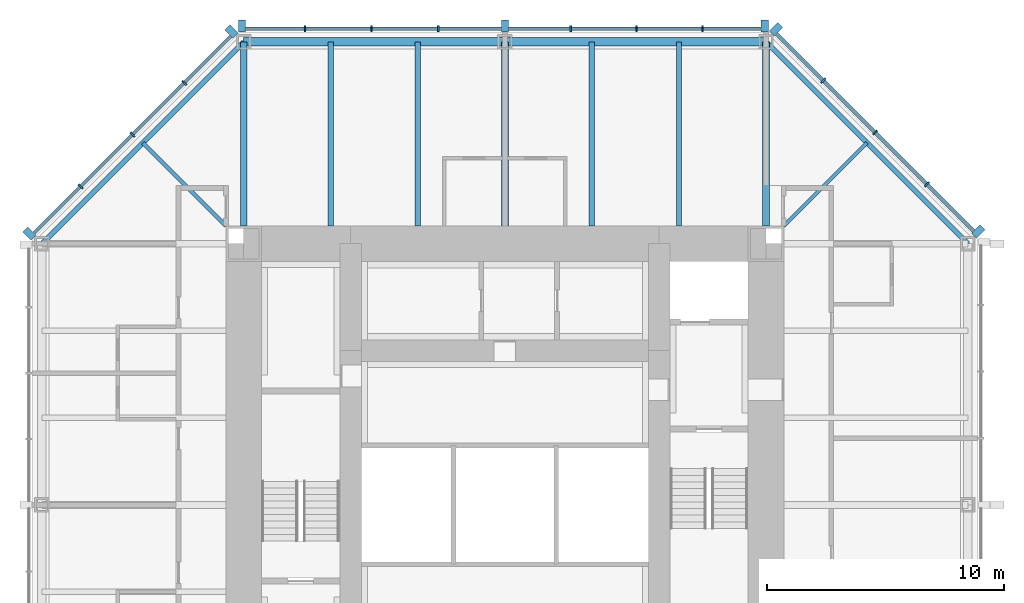
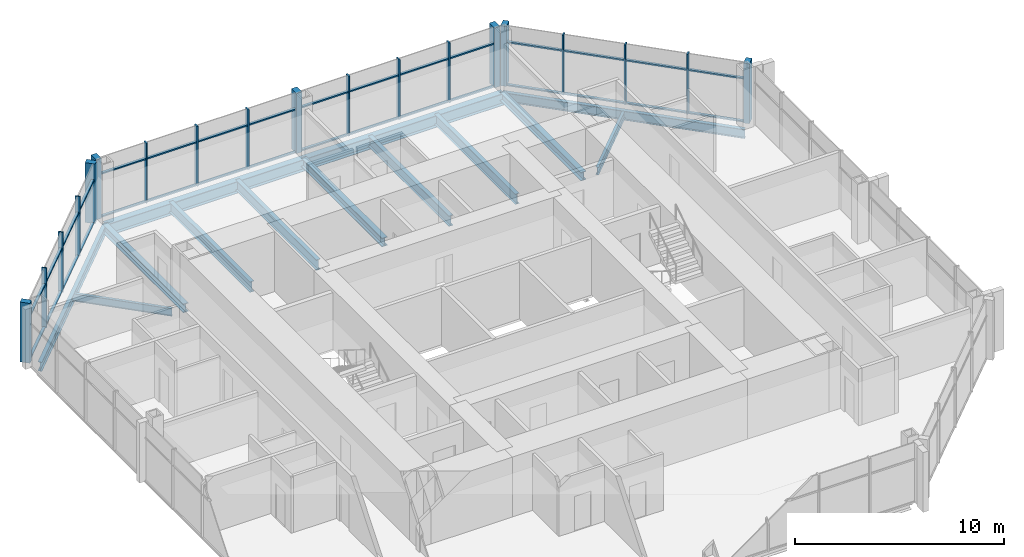
# One storey, part 5 of 11: 51 members, 13 beams, 3 elements without a shape of their own.
"""IFC4 building model written with IfcOpenShell, lengths in metres."""

from ifc_helpers import new_model, si_unit, direction, frame, origin, origin_2d, place, context, subcontext, project, spatial, rectangle, i_section, extrude, material, material_profile, profile_set, type_object, element, aggregate, save


model = new_model("IFC4")

# Units and contexts
model_context = context("Model", 3, precision=1e-05, world=origin(), true_north=direction((0.0, 1.0)))
body_context = subcontext(model_context, "Body", "Model", "MODEL_VIEW")
ifc_project = project(units=[si_unit("LENGTHUNIT", "METRE"), si_unit("AREAUNIT", "SQUARE_METRE"), si_unit("VOLUMEUNIT", "CUBIC_METRE"), si_unit("PLANEANGLEUNIT", "RADIAN"), si_unit("MASSUNIT", "GRAM", prefix="KILO")], contexts=[model_context])

# Site, building, storey
site_placement = place(None, origin())
site = spatial("IfcSite", under=ifc_project, at=site_placement, CompositionType="ELEMENT")
building_placement = place(site_placement, origin())
building = spatial("IfcBuilding", under=site, at=building_placement, Name="Trevanion Tower", CompositionType="ELEMENT")
storey_placement = place(building_placement, frame((0.0, 0.0, 222.199951171875)))
storey = spatial("IfcBuildingStorey", under=building, at=storey_placement, Name="L53", CompositionType="ELEMENT", Elevation=222.199951171875)

# Beams
ifc_material_1 = material(Name="Steel ASTM A992 Grade 50", Category="steel")
ifc_material_profile_1 = material_profile(ifc_material_1, i_section(OverallWidth=0.228271484375, OverallDepth=0.607177734375, WebThickness=0.01123046875, FlangeThickness=0.017333984375, at=origin_2d()), Name="W24X76")
ifc_profile_set_1 = profile_set([ifc_material_profile_1], Name="Steel ASTM A992 Grade 50")
beam_type_1 = type_object("IfcBeamType", Name="B11 W24X76", PredefinedType="BEAM", material=ifc_profile_set_1)
for number, where, z_axis, x_axis, name in (
    (1, (7.333251953125, 11.75, -0.493408203125), (0.0, 1.0, 0.0), (-1.0, 0.0, 0.0), "B11 L53"),
    (2, (3.666748046875, 11.75, -0.493408203125), (0.0, 1.0, 0.0), (-1.0, 0.0, 0.0), "B11 L53"),
    (3, (-3.666748046875, 11.75, -0.493408203125), (0.0, 1.0, 0.0), (-1.0, 0.0, 0.0), "B11 L53"),
    (4, (-7.333251953125, 11.75, -0.493408203125), (0.0, 1.0, 0.0), (-1.0, 0.0, 0.0), "B11 L53"),
):
    element("IfcBeam", number, at=place(storey_placement, frame(where, z_axis=z_axis, x_axis=x_axis)), inside=storey, type_object=beam_type_1, Name=name, PredefinedType="BEAM", context=body_context, shape_type="SweptSolid", body=[
        extrude(i_section(OverallWidth=0.228271484375, OverallDepth=0.607177734375, WebThickness=0.01123046875, FlangeThickness=0.017333984375, at=origin_2d()), origin(), (0.0, 0.0, 1.0), 7.75),
    ])
ifc_material_2 = material(Name="Steel ASTM A992 Grade 50", Category="steel")
ifc_material_profile_2 = material_profile(ifc_material_2, i_section(OverallWidth=0.15234375, OverallDepth=0.449462890625, WebThickness=0.007568359375, FlangeThickness=0.0107421875, at=origin_2d()), Name="W18X35")
ifc_profile_set_2 = profile_set([ifc_material_profile_2], Name="Steel ASTM A992 Grade 50")
beam_type_2 = type_object("IfcBeamType", Name="B12 W18X35", PredefinedType="BEAM", material=ifc_profile_set_2)
for number, where, z_axis, x_axis, name in (
    (5, (11.75, 11.75, -0.414794921875), (0.707106781187, 0.707106781187, 0.0), (-0.707106781187, 0.707106781187, 0.0), "B12 L53"),
    (6, (-11.75, 11.75, -0.414794921875), (-0.707106781187, 0.707106781187, 0.0), (-0.707106781187, -0.707106781187, 0.0), "B12 L53"),
):
    element("IfcBeam", number, at=place(storey_placement, frame(where, z_axis=z_axis, x_axis=x_axis)), inside=storey, type_object=beam_type_2, Name=name, PredefinedType="BEAM", context=body_context, shape_type="SweptSolid", body=[
        extrude(i_section(OverallWidth=0.15234375, OverallDepth=0.449462890625, WebThickness=0.007568359375, FlangeThickness=0.0107421875, at=origin_2d()), origin(), (0.0, 0.0, 1.0), 4.94970703125),
    ])

# Curtain wall, members
ifc_material_3 = material(Name="Aluminium and glass", Category="aluminium")
curtain_wall_type = type_object("IfcCurtainWallType", Name="CW3 curtain wall", PredefinedType="USERDEFINED", material=ifc_material_3)
curtain_wall_1_placement = place(storey_placement, origin())
curtain_wall_1 = element("IfcCurtainWall", 7, at=curtain_wall_1_placement, inside=storey, type_object=curtain_wall_type, Name="CW3 L53 1", ObjectType="UNITISED CURTAIN WALL", PredefinedType="USERDEFINED")
ifc_material_4 = material(Name="Aluminium extrusion, anodised bronze", Category="aluminium")
ifc_material_profile_3 = material_profile(ifc_material_4, rectangle(XDim=0.074951171875, YDim=0.25, at=origin_2d()), Name="CW3 mullion")
ifc_profile_set_3 = profile_set([ifc_material_profile_3], Name="Aluminium extrusion, anodised bronze")
member_type_1 = type_object("IfcMemberType", Name="CW3 mullion", PredefinedType="MULLION", material=ifc_profile_set_3)
member_1_placement = place(storey_placement, frame((17.775390625, 13.502197265625, -0.18994140625), z_axis=(0.0, 0.0, 1.0), x_axis=(-0.707106781187, 0.707106781187, 0.0)))
member_1 = element("IfcMember", 8, at=member_1_placement, type_object=member_type_1, Name="CW3 mullion 2", PredefinedType="MULLION", context=body_context, shape_type="SweptSolid", body=[
    extrude(rectangle(XDim=0.074951171875, YDim=0.25, at=origin_2d()), origin(), (0.0, 0.0, 1.0), 3.5),
])
member_2_placement = place(storey_placement, frame((15.593017578125, 15.684814453125, -0.18994140625), z_axis=(0.0, 0.0, 1.0), x_axis=(-0.707106781187, 0.707106781187, 0.0)))
member_2 = element("IfcMember", 9, at=member_2_placement, type_object=member_type_1, Name="CW3 mullion 3", PredefinedType="MULLION", context=body_context, shape_type="SweptSolid", body=[
    extrude(rectangle(XDim=0.074951171875, YDim=0.25, at=origin_2d()), origin(), (0.0, 0.0, 1.0), 3.5),
])
member_3_placement = place(storey_placement, frame((13.410400390625, 17.867431640625, -0.18994140625), z_axis=(0.0, 0.0, 1.0), x_axis=(-0.707106781187, 0.707106781187, 0.0)))
member_3 = element("IfcMember", 10, at=member_3_placement, type_object=member_type_1, Name="CW3 mullion 4", PredefinedType="MULLION", context=body_context, shape_type="SweptSolid", body=[
    extrude(rectangle(XDim=0.074951171875, YDim=0.25, at=origin_2d()), origin(), (0.0, 0.0, 1.0), 3.5),
])

curtain_wall_2_placement = place(storey_placement, origin())
curtain_wall_2 = element("IfcCurtainWall", 11, at=curtain_wall_2_placement, inside=storey, type_object=curtain_wall_type, Name="CW3 L53 2", ObjectType="UNITISED CURTAIN WALL", PredefinedType="USERDEFINED")
member_4_placement = place(storey_placement, frame((8.323486328125, 20.050048828125, -0.18994140625), z_axis=(0.0, 0.0, 1.0), x_axis=(-1.0, 0.0, 0.0)))
member_4 = element("IfcMember", 12, at=member_4_placement, type_object=member_type_1, Name="CW3 mullion 2", PredefinedType="MULLION", context=body_context, shape_type="SweptSolid", body=[
    extrude(rectangle(XDim=0.074951171875, YDim=0.25, at=origin_2d()), origin(), (0.0, 0.0, 1.0), 3.5),
])
member_5_placement = place(storey_placement, frame((5.548828125, 20.050048828125, -0.18994140625), z_axis=(0.0, 0.0, 1.0), x_axis=(-1.0, 0.0, 0.0)))
member_5 = element("IfcMember", 13, at=member_5_placement, type_object=member_type_1, Name="CW3 mullion 3", PredefinedType="MULLION", context=body_context, shape_type="SweptSolid", body=[
    extrude(rectangle(XDim=0.074951171875, YDim=0.25, at=origin_2d()), origin(), (0.0, 0.0, 1.0), 3.5),
])
member_6_placement = place(storey_placement, frame((2.7744140625, 20.050048828125, -0.18994140625), z_axis=(0.0, 0.0, 1.0), x_axis=(-1.0, 0.0, 0.0)))
member_6 = element("IfcMember", 14, at=member_6_placement, type_object=member_type_1, Name="CW3 mullion 4", PredefinedType="MULLION", context=body_context, shape_type="SweptSolid", body=[
    extrude(rectangle(XDim=0.074951171875, YDim=0.25, at=origin_2d()), origin(), (0.0, 0.0, 1.0), 3.5),
])
member_7_placement = place(storey_placement, frame((-2.806884765625, 20.050048828125, -0.18994140625), z_axis=(0.0, 0.0, 1.0), x_axis=(-1.0, 0.0, 0.0)))
member_7 = element("IfcMember", 15, at=member_7_placement, type_object=member_type_1, Name="CW3 mullion 6", PredefinedType="MULLION", context=body_context, shape_type="SweptSolid", body=[
    extrude(rectangle(XDim=0.074951171875, YDim=0.25, at=origin_2d()), origin(), (0.0, 0.0, 1.0), 3.5),
])
member_8_placement = place(storey_placement, frame((-5.614013671875, 20.050048828125, -0.18994140625), z_axis=(0.0, 0.0, 1.0), x_axis=(-1.0, 0.0, 0.0)))
member_8 = element("IfcMember", 16, at=member_8_placement, type_object=member_type_1, Name="CW3 mullion 7", PredefinedType="MULLION", context=body_context, shape_type="SweptSolid", body=[
    extrude(rectangle(XDim=0.074951171875, YDim=0.25, at=origin_2d()), origin(), (0.0, 0.0, 1.0), 3.5),
])
member_9_placement = place(storey_placement, frame((-8.4208984375, 20.050048828125, -0.18994140625), z_axis=(0.0, 0.0, 1.0), x_axis=(-1.0, 0.0, 0.0)))
member_9 = element("IfcMember", 17, at=member_9_placement, type_object=member_type_1, Name="CW3 mullion 8", PredefinedType="MULLION", context=body_context, shape_type="SweptSolid", body=[
    extrude(rectangle(XDim=0.074951171875, YDim=0.25, at=origin_2d()), origin(), (0.0, 0.0, 1.0), 3.5),
])

curtain_wall_3_placement = place(storey_placement, origin())
curtain_wall_3 = element("IfcCurtainWall", 18, at=curtain_wall_3_placement, inside=storey, type_object=curtain_wall_type, Name="CW3 L53 3", ObjectType="UNITISED CURTAIN WALL", PredefinedType="USERDEFINED")
member_10_placement = place(storey_placement, frame((-13.502197265625, 17.775390625, -0.18994140625), z_axis=(0.0, 0.0, 1.0), x_axis=(-0.707106781187, -0.707106781187, 0.0)))
member_10 = element("IfcMember", 19, at=member_10_placement, type_object=member_type_1, Name="CW3 mullion 2", PredefinedType="MULLION", context=body_context, shape_type="SweptSolid", body=[
    extrude(rectangle(XDim=0.074951171875, YDim=0.25, at=origin_2d()), origin(), (0.0, 0.0, 1.0), 3.5),
])
member_11_placement = place(storey_placement, frame((-15.684814453125, 15.593017578125, -0.18994140625), z_axis=(0.0, 0.0, 1.0), x_axis=(-0.707106781187, -0.707106781187, 0.0)))
member_11 = element("IfcMember", 20, at=member_11_placement, type_object=member_type_1, Name="CW3 mullion 3", PredefinedType="MULLION", context=body_context, shape_type="SweptSolid", body=[
    extrude(rectangle(XDim=0.074951171875, YDim=0.25, at=origin_2d()), origin(), (0.0, 0.0, 1.0), 3.5),
])
member_12_placement = place(storey_placement, frame((-17.867431640625, 13.410400390625, -0.18994140625), z_axis=(0.0, 0.0, 1.0), x_axis=(-0.707106781187, -0.707106781187, 0.0)))
member_12 = element("IfcMember", 21, at=member_12_placement, type_object=member_type_1, Name="CW3 mullion 4", PredefinedType="MULLION", context=body_context, shape_type="SweptSolid", body=[
    extrude(rectangle(XDim=0.074951171875, YDim=0.25, at=origin_2d()), origin(), (0.0, 0.0, 1.0), 3.5),
])

# Member
ifc_material_5 = material(Name="Aluminium extrusion, anodised bronze", Category="aluminium")
ifc_material_profile_4 = material_profile(ifc_material_5, rectangle(XDim=0.300048828125, YDim=0.5, at=origin_2d()), Name="CW3 pier mullion")
ifc_profile_set_4 = profile_set([ifc_material_profile_4], Name="Aluminium extrusion, anodised bronze")
member_type_2 = type_object("IfcMemberType", Name="CW3 pier mullion", PredefinedType="MULLION", material=ifc_profile_set_4)
member_13_placement = place(storey_placement, frame((19.9404296875, 11.51416015625, -0.18994140625), z_axis=(0.0, 0.0, 1.0), x_axis=(-0.707106781187, 0.707106781187, 0.0)))
member_13 = element("IfcMember", 22, at=member_13_placement, type_object=member_type_2, Name="CW3 pier mullion 1", PredefinedType="MULLION", context=body_context, shape_type="SweptSolid", body=[
    extrude(rectangle(XDim=0.300048828125, YDim=0.5, at=origin_2d()), origin(), (0.0, 0.0, 1.0), 3.5),
])

member_14_placement = place(storey_placement, frame((11.42236328125, 20.0322265625, -0.18994140625), z_axis=(0.0, 0.0, 1.0), x_axis=(-0.707106781187, 0.707106781187, 0.0)))
member_14 = element("IfcMember", 23, at=member_14_placement, type_object=member_type_2, Name="CW3 pier mullion 5", PredefinedType="MULLION", context=body_context, shape_type="SweptSolid", body=[
    extrude(rectangle(XDim=0.300048828125, YDim=0.5, at=origin_2d()), origin(), (0.0, 0.0, 1.0), 3.5),
])

member_15_placement = place(storey_placement, frame((10.94775390625, 20.175048828125, -0.18994140625), z_axis=(0.0, 0.0, 1.0), x_axis=(-1.0, 0.0, 0.0)))
member_15 = element("IfcMember", 24, at=member_15_placement, type_object=member_type_2, Name="CW3 pier mullion 1", PredefinedType="MULLION", context=body_context, shape_type="SweptSolid", body=[
    extrude(rectangle(XDim=0.300048828125, YDim=0.5, at=origin_2d()), origin(), (0.0, 0.0, 1.0), 3.5),
])

member_16_placement = place(storey_placement, frame((0.0, 20.175048828125, -0.18994140625), z_axis=(0.0, 0.0, 1.0), x_axis=(-1.0, 0.0, 0.0)))
member_16 = element("IfcMember", 25, at=member_16_placement, type_object=member_type_2, Name="CW3 pier mullion 5", PredefinedType="MULLION", context=body_context, shape_type="SweptSolid", body=[
    extrude(rectangle(XDim=0.300048828125, YDim=0.5, at=origin_2d()), origin(), (0.0, 0.0, 1.0), 3.5),
])

member_17_placement = place(storey_placement, frame((-11.077880859375, 20.175048828125, -0.18994140625), z_axis=(0.0, 0.0, 1.0), x_axis=(-1.0, 0.0, 0.0)))
member_17 = element("IfcMember", 26, at=member_17_placement, type_object=member_type_2, Name="CW3 pier mullion 9", PredefinedType="MULLION", context=body_context, shape_type="SweptSolid", body=[
    extrude(rectangle(XDim=0.300048828125, YDim=0.5, at=origin_2d()), origin(), (0.0, 0.0, 1.0), 3.5),
])

member_18_placement = place(storey_placement, frame((-11.51416015625, 19.9404296875, -0.18994140625), z_axis=(0.0, 0.0, 1.0), x_axis=(-0.707106781187, -0.707106781187, 0.0)))
member_18 = element("IfcMember", 27, at=member_18_placement, type_object=member_type_2, Name="CW3 pier mullion 1", PredefinedType="MULLION", context=body_context, shape_type="SweptSolid", body=[
    extrude(rectangle(XDim=0.300048828125, YDim=0.5, at=origin_2d()), origin(), (0.0, 0.0, 1.0), 3.5),
])

member_19_placement = place(storey_placement, frame((-20.0322265625, 11.42236328125, -0.18994140625), z_axis=(0.0, 0.0, 1.0), x_axis=(-0.707106781187, -0.707106781187, 0.0)))
member_19 = element("IfcMember", 28, at=member_19_placement, type_object=member_type_2, Name="CW3 pier mullion 5", PredefinedType="MULLION", context=body_context, shape_type="SweptSolid", body=[
    extrude(rectangle(XDim=0.300048828125, YDim=0.5, at=origin_2d()), origin(), (0.0, 0.0, 1.0), 3.5),
])

ifc_material_6 = material(Name="Aluminium extrusion, anodised bronze", Category="aluminium")
ifc_material_profile_5 = material_profile(ifc_material_6, rectangle(XDim=0.14990234375, YDim=0.074951171875, at=origin_2d()), Name="CW3 transom")
ifc_profile_set_5 = profile_set([ifc_material_profile_5], Name="Aluminium extrusion, anodised bronze")
member_type_3 = type_object("IfcMemberType", Name="CW3 transom", PredefinedType="USERDEFINED", material=ifc_profile_set_5)
member_20_placement = place(storey_placement, frame((19.745849609375, 11.531982421875, -0.15234375), z_axis=(-0.707106781187, 0.707106781187, 0.0), x_axis=(-0.707106781187, -0.707106781187, 0.0)))
member_20 = element("IfcMember", 29, at=member_20_placement, type_object=member_type_3, Name="CW3 transom 1.1", ObjectType="TRANSOM", PredefinedType="USERDEFINED", context=body_context, shape_type="SweptSolid", body=[
    extrude(rectangle(XDim=0.14990234375, YDim=0.074951171875, at=origin_2d()), origin(), (0.0, 0.0, 1.0), 2.7490234375),
])

member_21_placement = place(storey_placement, frame((19.745849609375, 11.531982421875, 2.360107421875), z_axis=(-0.707106781187, 0.707106781187, 0.0), x_axis=(-0.707106781187, -0.707106781187, 0.0)))
member_21 = element("IfcMember", 30, at=member_21_placement, type_object=member_type_3, Name="CW3 transom 1.2", ObjectType="TRANSOM", PredefinedType="USERDEFINED", context=body_context, shape_type="SweptSolid", body=[
    extrude(rectangle(XDim=0.14990234375, YDim=0.074951171875, at=origin_2d()), origin(), (0.0, 0.0, 1.0), 2.7490234375),
])

member_22_placement = place(storey_placement, frame((17.7490234375, 13.52880859375, -0.15234375), z_axis=(-0.707106781187, 0.707106781187, 0.0), x_axis=(-0.707106781187, -0.707106781187, 0.0)))
member_22 = element("IfcMember", 31, at=member_22_placement, type_object=member_type_3, Name="CW3 transom 2.1", ObjectType="TRANSOM", PredefinedType="USERDEFINED", context=body_context, shape_type="SweptSolid", body=[
    extrude(rectangle(XDim=0.14990234375, YDim=0.074951171875, at=origin_2d()), origin(), (0.0, 0.0, 1.0), 3.01171875),
])

member_23_placement = place(storey_placement, frame((17.7490234375, 13.52880859375, 2.360107421875), z_axis=(-0.707106781187, 0.707106781187, 0.0), x_axis=(-0.707106781187, -0.707106781187, 0.0)))
member_23 = element("IfcMember", 32, at=member_23_placement, type_object=member_type_3, Name="CW3 transom 2.2", ObjectType="TRANSOM", PredefinedType="USERDEFINED", context=body_context, shape_type="SweptSolid", body=[
    extrude(rectangle(XDim=0.14990234375, YDim=0.074951171875, at=origin_2d()), origin(), (0.0, 0.0, 1.0), 3.01171875),
])

member_24_placement = place(storey_placement, frame((15.56640625, 15.71142578125, -0.15234375), z_axis=(-0.707106781187, 0.707106781187, 0.0), x_axis=(-0.707106781187, -0.707106781187, 0.0)))
member_24 = element("IfcMember", 33, at=member_24_placement, type_object=member_type_3, Name="CW3 transom 3.1", ObjectType="TRANSOM", PredefinedType="USERDEFINED", context=body_context, shape_type="SweptSolid", body=[
    extrude(rectangle(XDim=0.14990234375, YDim=0.074951171875, at=origin_2d()), origin(), (0.0, 0.0, 1.0), 3.011474609375),
])

member_25_placement = place(storey_placement, frame((15.56640625, 15.71142578125, 2.360107421875), z_axis=(-0.707106781187, 0.707106781187, 0.0), x_axis=(-0.707106781187, -0.707106781187, 0.0)))
member_25 = element("IfcMember", 34, at=member_25_placement, type_object=member_type_3, Name="CW3 transom 3.2", ObjectType="TRANSOM", PredefinedType="USERDEFINED", context=body_context, shape_type="SweptSolid", body=[
    extrude(rectangle(XDim=0.14990234375, YDim=0.074951171875, at=origin_2d()), origin(), (0.0, 0.0, 1.0), 3.011474609375),
])

member_26_placement = place(storey_placement, frame((13.3837890625, 17.89404296875, -0.15234375), z_axis=(-0.707106781187, 0.707106781187, 0.0), x_axis=(-0.707106781187, -0.707106781187, 0.0)))
member_26 = element("IfcMember", 35, at=member_26_placement, type_object=member_type_3, Name="CW3 transom 4.1", ObjectType="TRANSOM", PredefinedType="USERDEFINED", context=body_context, shape_type="SweptSolid", body=[
    extrude(rectangle(XDim=0.14990234375, YDim=0.074951171875, at=origin_2d()), origin(), (0.0, 0.0, 1.0), 2.7490234375),
])

member_27_placement = place(storey_placement, frame((13.3837890625, 17.89404296875, 2.360107421875), z_axis=(-0.707106781187, 0.707106781187, 0.0), x_axis=(-0.707106781187, -0.707106781187, 0.0)))
member_27 = element("IfcMember", 36, at=member_27_placement, type_object=member_type_3, Name="CW3 transom 4.2", ObjectType="TRANSOM", PredefinedType="USERDEFINED", context=body_context, shape_type="SweptSolid", body=[
    extrude(rectangle(XDim=0.14990234375, YDim=0.074951171875, at=origin_2d()), origin(), (0.0, 0.0, 1.0), 2.7490234375),
])

aggregate(curtain_wall_1, [member_13, member_1, member_2, member_3, member_14, member_20, member_21, member_22, member_23, member_24, member_25, member_26, member_27])

member_28_placement = place(storey_placement, frame((10.7978515625, 20.050048828125, -0.15234375), z_axis=(-1.0, 0.0, 0.0), x_axis=(0.0, -1.0, 0.0)))
member_28 = element("IfcMember", 37, at=member_28_placement, type_object=member_type_3, Name="CW3 transom 1.1", ObjectType="TRANSOM", PredefinedType="USERDEFINED", context=body_context, shape_type="SweptSolid", body=[
    extrude(rectangle(XDim=0.14990234375, YDim=0.074951171875, at=origin_2d()), origin(), (0.0, 0.0, 1.0), 2.43701171875),
])

member_29_placement = place(storey_placement, frame((10.7978515625, 20.050048828125, 2.360107421875), z_axis=(-1.0, 0.0, 0.0), x_axis=(0.0, -1.0, 0.0)))
member_29 = element("IfcMember", 38, at=member_29_placement, type_object=member_type_3, Name="CW3 transom 1.2", ObjectType="TRANSOM", PredefinedType="USERDEFINED", context=body_context, shape_type="SweptSolid", body=[
    extrude(rectangle(XDim=0.14990234375, YDim=0.074951171875, at=origin_2d()), origin(), (0.0, 0.0, 1.0), 2.43701171875),
])

member_30_placement = place(storey_placement, frame((8.285888671875, 20.050048828125, -0.15234375), z_axis=(-1.0, 0.0, 0.0), x_axis=(0.0, -1.0, 0.0)))
member_30 = element("IfcMember", 39, at=member_30_placement, type_object=member_type_3, Name="CW3 transom 2.1", ObjectType="TRANSOM", PredefinedType="USERDEFINED", context=body_context, shape_type="SweptSolid", body=[
    extrude(rectangle(XDim=0.14990234375, YDim=0.074951171875, at=origin_2d()), origin(), (0.0, 0.0, 1.0), 2.699462890625),
])

member_31_placement = place(storey_placement, frame((8.285888671875, 20.050048828125, 2.360107421875), z_axis=(-1.0, 0.0, 0.0), x_axis=(0.0, -1.0, 0.0)))
member_31 = element("IfcMember", 40, at=member_31_placement, type_object=member_type_3, Name="CW3 transom 2.2", ObjectType="TRANSOM", PredefinedType="USERDEFINED", context=body_context, shape_type="SweptSolid", body=[
    extrude(rectangle(XDim=0.14990234375, YDim=0.074951171875, at=origin_2d()), origin(), (0.0, 0.0, 1.0), 2.699462890625),
])

member_32_placement = place(storey_placement, frame((5.511474609375, 20.050048828125, -0.15234375), z_axis=(-1.0, 0.0, 0.0), x_axis=(0.0, -1.0, 0.0)))
member_32 = element("IfcMember", 41, at=member_32_placement, type_object=member_type_3, Name="CW3 transom 3.1", ObjectType="TRANSOM", PredefinedType="USERDEFINED", context=body_context, shape_type="SweptSolid", body=[
    extrude(rectangle(XDim=0.14990234375, YDim=0.074951171875, at=origin_2d()), origin(), (0.0, 0.0, 1.0), 2.699462890625),
])

member_33_placement = place(storey_placement, frame((5.511474609375, 20.050048828125, 2.360107421875), z_axis=(-1.0, 0.0, 0.0), x_axis=(0.0, -1.0, 0.0)))
member_33 = element("IfcMember", 42, at=member_33_placement, type_object=member_type_3, Name="CW3 transom 3.2", ObjectType="TRANSOM", PredefinedType="USERDEFINED", context=body_context, shape_type="SweptSolid", body=[
    extrude(rectangle(XDim=0.14990234375, YDim=0.074951171875, at=origin_2d()), origin(), (0.0, 0.0, 1.0), 2.699462890625),
])

member_34_placement = place(storey_placement, frame((2.737060546875, 20.050048828125, -0.15234375), z_axis=(-1.0, 0.0, 0.0), x_axis=(0.0, -1.0, 0.0)))
member_34 = element("IfcMember", 43, at=member_34_placement, type_object=member_type_3, Name="CW3 transom 4.1", ObjectType="TRANSOM", PredefinedType="USERDEFINED", context=body_context, shape_type="SweptSolid", body=[
    extrude(rectangle(XDim=0.14990234375, YDim=0.074951171875, at=origin_2d()), origin(), (0.0, 0.0, 1.0), 2.587158203125),
])

member_35_placement = place(storey_placement, frame((2.737060546875, 20.050048828125, 2.360107421875), z_axis=(-1.0, 0.0, 0.0), x_axis=(0.0, -1.0, 0.0)))
member_35 = element("IfcMember", 44, at=member_35_placement, type_object=member_type_3, Name="CW3 transom 4.2", ObjectType="TRANSOM", PredefinedType="USERDEFINED", context=body_context, shape_type="SweptSolid", body=[
    extrude(rectangle(XDim=0.14990234375, YDim=0.074951171875, at=origin_2d()), origin(), (0.0, 0.0, 1.0), 2.587158203125),
])

member_36_placement = place(storey_placement, frame((-0.14990234375, 20.050048828125, -0.15234375), z_axis=(-1.0, 0.0, 0.0), x_axis=(0.0, -1.0, 0.0)))
member_36 = element("IfcMember", 45, at=member_36_placement, type_object=member_type_3, Name="CW3 transom 5.1", ObjectType="TRANSOM", PredefinedType="USERDEFINED", context=body_context, shape_type="SweptSolid", body=[
    extrude(rectangle(XDim=0.14990234375, YDim=0.074951171875, at=origin_2d()), origin(), (0.0, 0.0, 1.0), 2.619384765625),
])

member_37_placement = place(storey_placement, frame((-0.14990234375, 20.050048828125, 2.360107421875), z_axis=(-1.0, 0.0, 0.0), x_axis=(0.0, -1.0, 0.0)))
member_37 = element("IfcMember", 46, at=member_37_placement, type_object=member_type_3, Name="CW3 transom 5.2", ObjectType="TRANSOM", PredefinedType="USERDEFINED", context=body_context, shape_type="SweptSolid", body=[
    extrude(rectangle(XDim=0.14990234375, YDim=0.074951171875, at=origin_2d()), origin(), (0.0, 0.0, 1.0), 2.619384765625),
])

member_38_placement = place(storey_placement, frame((-2.844482421875, 20.050048828125, -0.15234375), z_axis=(-1.0, 0.0, 0.0), x_axis=(0.0, -1.0, 0.0)))
member_38 = element("IfcMember", 47, at=member_38_placement, type_object=member_type_3, Name="CW3 transom 6.1", ObjectType="TRANSOM", PredefinedType="USERDEFINED", context=body_context, shape_type="SweptSolid", body=[
    extrude(rectangle(XDim=0.14990234375, YDim=0.074951171875, at=origin_2d()), origin(), (0.0, 0.0, 1.0), 2.73193359375),
])

member_39_placement = place(storey_placement, frame((-2.844482421875, 20.050048828125, 2.360107421875), z_axis=(-1.0, 0.0, 0.0), x_axis=(0.0, -1.0, 0.0)))
member_39 = element("IfcMember", 48, at=member_39_placement, type_object=member_type_3, Name="CW3 transom 6.2", ObjectType="TRANSOM", PredefinedType="USERDEFINED", context=body_context, shape_type="SweptSolid", body=[
    extrude(rectangle(XDim=0.14990234375, YDim=0.074951171875, at=origin_2d()), origin(), (0.0, 0.0, 1.0), 2.73193359375),
])

member_40_placement = place(storey_placement, frame((-5.6513671875, 20.050048828125, -0.15234375), z_axis=(-1.0, 0.0, 0.0), x_axis=(0.0, -1.0, 0.0)))
member_40 = element("IfcMember", 49, at=member_40_placement, type_object=member_type_3, Name="CW3 transom 7.1", ObjectType="TRANSOM", PredefinedType="USERDEFINED", context=body_context, shape_type="SweptSolid", body=[
    extrude(rectangle(XDim=0.14990234375, YDim=0.074951171875, at=origin_2d()), origin(), (0.0, 0.0, 1.0), 2.73193359375),
])

member_41_placement = place(storey_placement, frame((-5.6513671875, 20.050048828125, 2.360107421875), z_axis=(-1.0, 0.0, 0.0), x_axis=(0.0, -1.0, 0.0)))
member_41 = element("IfcMember", 50, at=member_41_placement, type_object=member_type_3, Name="CW3 transom 7.2", ObjectType="TRANSOM", PredefinedType="USERDEFINED", context=body_context, shape_type="SweptSolid", body=[
    extrude(rectangle(XDim=0.14990234375, YDim=0.074951171875, at=origin_2d()), origin(), (0.0, 0.0, 1.0), 2.73193359375),
])

member_42_placement = place(storey_placement, frame((-8.45849609375, 20.050048828125, -0.15234375), z_axis=(-1.0, 0.0, 0.0), x_axis=(0.0, -1.0, 0.0)))
member_42 = element("IfcMember", 51, at=member_42_placement, type_object=member_type_3, Name="CW3 transom 8.1", ObjectType="TRANSOM", PredefinedType="USERDEFINED", context=body_context, shape_type="SweptSolid", body=[
    extrude(rectangle(XDim=0.14990234375, YDim=0.074951171875, at=origin_2d()), origin(), (0.0, 0.0, 1.0), 2.46923828125),
])

member_43_placement = place(storey_placement, frame((-8.45849609375, 20.050048828125, 2.360107421875), z_axis=(-1.0, 0.0, 0.0), x_axis=(0.0, -1.0, 0.0)))
member_43 = element("IfcMember", 52, at=member_43_placement, type_object=member_type_3, Name="CW3 transom 8.2", ObjectType="TRANSOM", PredefinedType="USERDEFINED", context=body_context, shape_type="SweptSolid", body=[
    extrude(rectangle(XDim=0.14990234375, YDim=0.074951171875, at=origin_2d()), origin(), (0.0, 0.0, 1.0), 2.46923828125),
])

aggregate(curtain_wall_2, [member_15, member_4, member_5, member_6, member_16, member_7, member_8, member_9, member_17, member_28, member_29, member_30, member_31, member_32, member_33, member_34, member_35, member_36, member_37, member_38, member_39, member_40, member_41, member_42, member_43])

member_44_placement = place(storey_placement, frame((-11.531982421875, 19.745849609375, -0.15234375), z_axis=(-0.707106781187, -0.707106781187, 0.0), x_axis=(0.707106781187, -0.707106781187, 0.0)))
member_44 = element("IfcMember", 53, at=member_44_placement, type_object=member_type_3, Name="CW3 transom 1.1", ObjectType="TRANSOM", PredefinedType="USERDEFINED", context=body_context, shape_type="SweptSolid", body=[
    extrude(rectangle(XDim=0.14990234375, YDim=0.074951171875, at=origin_2d()), origin(), (0.0, 0.0, 1.0), 2.7490234375),
])

member_45_placement = place(storey_placement, frame((-11.531982421875, 19.745849609375, 2.360107421875), z_axis=(-0.707106781187, -0.707106781187, 0.0), x_axis=(0.707106781187, -0.707106781187, 0.0)))
member_45 = element("IfcMember", 54, at=member_45_placement, type_object=member_type_3, Name="CW3 transom 1.2", ObjectType="TRANSOM", PredefinedType="USERDEFINED", context=body_context, shape_type="SweptSolid", body=[
    extrude(rectangle(XDim=0.14990234375, YDim=0.074951171875, at=origin_2d()), origin(), (0.0, 0.0, 1.0), 2.7490234375),
])

member_46_placement = place(storey_placement, frame((-13.52880859375, 17.7490234375, -0.15234375), z_axis=(-0.707106781187, -0.707106781187, 0.0), x_axis=(0.707106781187, -0.707106781187, 0.0)))
member_46 = element("IfcMember", 55, at=member_46_placement, type_object=member_type_3, Name="CW3 transom 2.1", ObjectType="TRANSOM", PredefinedType="USERDEFINED", context=body_context, shape_type="SweptSolid", body=[
    extrude(rectangle(XDim=0.14990234375, YDim=0.074951171875, at=origin_2d()), origin(), (0.0, 0.0, 1.0), 3.01171875),
])

member_47_placement = place(storey_placement, frame((-13.52880859375, 17.7490234375, 2.360107421875), z_axis=(-0.707106781187, -0.707106781187, 0.0), x_axis=(0.707106781187, -0.707106781187, 0.0)))
member_47 = element("IfcMember", 56, at=member_47_placement, type_object=member_type_3, Name="CW3 transom 2.2", ObjectType="TRANSOM", PredefinedType="USERDEFINED", context=body_context, shape_type="SweptSolid", body=[
    extrude(rectangle(XDim=0.14990234375, YDim=0.074951171875, at=origin_2d()), origin(), (0.0, 0.0, 1.0), 3.01171875),
])

member_48_placement = place(storey_placement, frame((-15.71142578125, 15.56640625, -0.15234375), z_axis=(-0.707106781187, -0.707106781187, 0.0), x_axis=(0.707106781187, -0.707106781187, 0.0)))
member_48 = element("IfcMember", 57, at=member_48_placement, type_object=member_type_3, Name="CW3 transom 3.1", ObjectType="TRANSOM", PredefinedType="USERDEFINED", context=body_context, shape_type="SweptSolid", body=[
    extrude(rectangle(XDim=0.14990234375, YDim=0.074951171875, at=origin_2d()), origin(), (0.0, 0.0, 1.0), 3.011474609375),
])

member_49_placement = place(storey_placement, frame((-15.71142578125, 15.56640625, 2.360107421875), z_axis=(-0.707106781187, -0.707106781187, 0.0), x_axis=(0.707106781187, -0.707106781187, 0.0)))
member_49 = element("IfcMember", 58, at=member_49_placement, type_object=member_type_3, Name="CW3 transom 3.2", ObjectType="TRANSOM", PredefinedType="USERDEFINED", context=body_context, shape_type="SweptSolid", body=[
    extrude(rectangle(XDim=0.14990234375, YDim=0.074951171875, at=origin_2d()), origin(), (0.0, 0.0, 1.0), 3.011474609375),
])

member_50_placement = place(storey_placement, frame((-17.89404296875, 13.3837890625, -0.15234375), z_axis=(-0.707106781187, -0.707106781187, 0.0), x_axis=(0.707106781187, -0.707106781187, 0.0)))
member_50 = element("IfcMember", 59, at=member_50_placement, type_object=member_type_3, Name="CW3 transom 4.1", ObjectType="TRANSOM", PredefinedType="USERDEFINED", context=body_context, shape_type="SweptSolid", body=[
    extrude(rectangle(XDim=0.14990234375, YDim=0.074951171875, at=origin_2d()), origin(), (0.0, 0.0, 1.0), 2.7490234375),
])

member_51_placement = place(storey_placement, frame((-17.89404296875, 13.3837890625, 2.360107421875), z_axis=(-0.707106781187, -0.707106781187, 0.0), x_axis=(0.707106781187, -0.707106781187, 0.0)))
member_51 = element("IfcMember", 60, at=member_51_placement, type_object=member_type_3, Name="CW3 transom 4.2", ObjectType="TRANSOM", PredefinedType="USERDEFINED", context=body_context, shape_type="SweptSolid", body=[
    extrude(rectangle(XDim=0.14990234375, YDim=0.074951171875, at=origin_2d()), origin(), (0.0, 0.0, 1.0), 2.7490234375),
])

aggregate(curtain_wall_3, [member_18, member_10, member_11, member_12, member_19, member_44, member_45, member_46, member_47, member_48, member_49, member_50, member_51])

# Beams
ifc_material_7 = material(Name="Steel ASTM A992 Grade 50", Category="steel")
ifc_material_profile_6 = material_profile(ifc_material_7, i_section(OverallWidth=0.28955078125, OverallDepth=0.508056640625, WebThickness=0.022705078125, FlangeThickness=0.040283203125, at=origin_2d()), Name="W18X175")
ifc_profile_set_6 = profile_set([ifc_material_profile_6], Name="Steel ASTM A992 Grade 50")
beam_type_3 = type_object("IfcBeamType", Name="G6 W18X175", PredefinedType="BEAM", material=ifc_profile_set_6)
for number, where, z_axis, x_axis, name in (
    (61, (11.0, 11.75, -0.44384765625), (0.0, 1.0, 0.0), (-1.0, 0.0, 0.0), "G6 L53"),
    (62, (0.0, 11.75, -0.44384765625), (0.0, 1.0, 0.0), (-1.0, 0.0, 0.0), "G6 L53"),
    (63, (-11.0, 11.75, -0.44384765625), (0.0, 1.0, 0.0), (-1.0, 0.0, 0.0), "G6 L53"),
):
    element("IfcBeam", number, at=place(storey_placement, frame(where, z_axis=z_axis, x_axis=x_axis)), inside=storey, type_object=beam_type_3, Name=name, PredefinedType="BEAM", context=body_context, shape_type="SweptSolid", body=[
        extrude(i_section(OverallWidth=0.28955078125, OverallDepth=0.508056640625, WebThickness=0.022705078125, FlangeThickness=0.040283203125, at=origin_2d()), origin(), (0.0, 0.0, 1.0), 7.75),
    ])
ifc_material_8 = material(Name="Steel ASTM A992 Grade 50", Category="steel")
ifc_material_profile_7 = material_profile(ifc_material_8, i_section(OverallWidth=0.355712890625, OverallDepth=0.696044921875, WebThickness=0.015380859375, FlangeThickness=0.024658203125, at=origin_2d()), Name="W27X146")
ifc_profile_set_7 = profile_set([ifc_material_profile_7], Name="Steel ASTM A992 Grade 50")
beam_type_4 = type_object("IfcBeamType", Name="SB8 W27X146", PredefinedType="SPANDREL", material=ifc_profile_set_7)
for number, where, z_axis, x_axis, name in (
    (64, (11.0, 19.5, -0.537841796875), (-1.0, 0.0, 0.0), (0.0, -1.0, 0.0), "SB8 L53"),
    (65, (0.0, 19.5, -0.537841796875), (-1.0, 0.0, 0.0), (0.0, -1.0, 0.0), "SB8 L53"),
):
    element("IfcBeam", number, at=place(storey_placement, frame(where, z_axis=z_axis, x_axis=x_axis)), inside=storey, type_object=beam_type_4, Name=name, PredefinedType="SPANDREL", context=body_context, shape_type="SweptSolid", body=[
        extrude(i_section(OverallWidth=0.355712890625, OverallDepth=0.696044921875, WebThickness=0.015380859375, FlangeThickness=0.024658203125, at=origin_2d()), origin(), (0.0, 0.0, 1.0), 11.0),
    ])
ifc_material_9 = material(Name="Steel ASTM A992 Grade 50", Category="steel")
ifc_material_profile_8 = material_profile(ifc_material_9, i_section(OverallWidth=0.209228515625, OverallDepth=0.533447265625, WebThickness=0.01025390625, FlangeThickness=0.015625, at=origin_2d()), Name="W21X62")
ifc_profile_set_8 = profile_set([ifc_material_profile_8], Name="Steel ASTM A992 Grade 50")
beam_type_5 = type_object("IfcBeamType", Name="SB9 W21X62", PredefinedType="SPANDREL", material=ifc_profile_set_8)
for number, where, z_axis, x_axis, name in (
    (66, (19.5, 11.0, -0.45654296875), (-0.707106781187, 0.707106781187, 0.0), (-0.707106781187, -0.707106781187, 0.0), "SB9 L53"),
    (67, (-11.0, 19.5, -0.45654296875), (-0.707106781187, -0.707106781187, 0.0), (0.707106781187, -0.707106781187, 0.0), "SB9 L53"),
):
    element("IfcBeam", number, at=place(storey_placement, frame(where, z_axis=z_axis, x_axis=x_axis)), inside=storey, type_object=beam_type_5, Name=name, PredefinedType="SPANDREL", context=body_context, shape_type="SweptSolid", body=[
        extrude(i_section(OverallWidth=0.209228515625, OverallDepth=0.533447265625, WebThickness=0.01025390625, FlangeThickness=0.015625, at=origin_2d()), origin(), (0.0, 0.0, 1.0), 12.020751953125),
    ])

save(model, "model.ifc")
